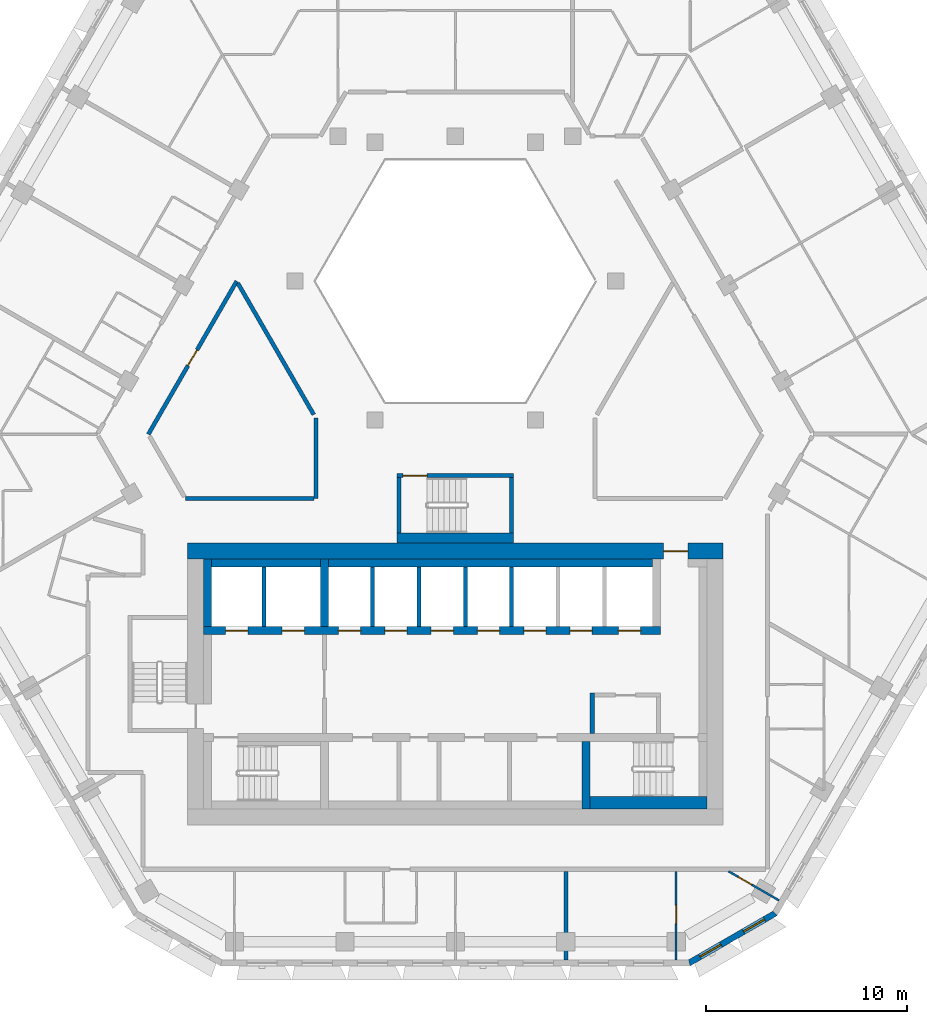
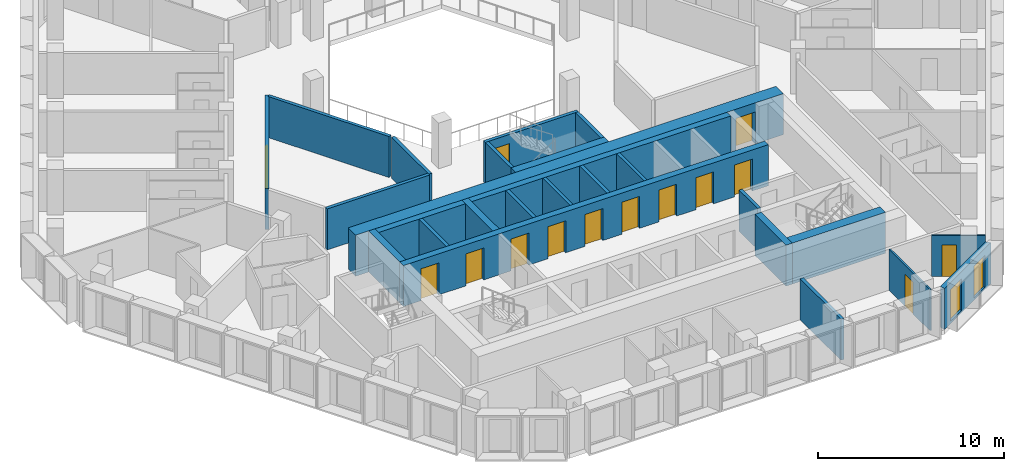
# One storey, part 5 of 17: 26 walls, 14 doors, 2 windows, 16 openings.
"""IFC4 building model written with IfcOpenShell, lengths in metres."""

import ifcopenshell
import ifcopenshell.guid

model = None  # the IFC model being written
_history = None  # IfcOwnerHistory: only IFC2X3 demands one
_inside = {}  # id of a spatial element -> (the spatial element, [elements in it])
_under = {}  # id of a project, library or spatial element -> (it, [spatial elements below it])
_declared = {}  # id of a project -> (the project, [libraries it declares])
_typed = {}  # id of a type object -> (the type object, [elements of that type])
_made_of = {}  # id of a material, layer set ... -> (it, [elements and type objects made of it])


def new_model(schema):
    """Start an empty IFC model of exactly this schema.

    Asked for "IFC4X3", IfcOpenShell would pick the latest addendum, in which some entities
    have other attributes; the version numbers below select the first issue.
    IFC2X3 requires an IfcOwnerHistory on every rooted entity: one is made here for all.
    """
    global model, _history
    if schema == "IFC4X3":
        model = ifcopenshell.file(schema_version=(4, 3, 0, 0))
    else:
        model = ifcopenshell.file(schema=schema)
    _inside.clear()
    _under.clear()
    _declared.clear()
    _typed.clear()
    _made_of.clear()
    _history = None
    if model.schema == "IFC2X3":
        org = make("IfcOrganization", Name="unknown")
        user = make(
            "IfcPersonAndOrganization",
            ThePerson=make("IfcPerson", FamilyName="unknown"),
            TheOrganization=org,
        )
        app = make(
            "IfcApplication",
            ApplicationDeveloper=org,
            Version="unknown",
            ApplicationFullName="unknown",
            ApplicationIdentifier="unknown",
        )
        _history = make(
            "IfcOwnerHistory",
            OwningUser=user,
            OwningApplication=app,
            ChangeAction="ADDED",
            CreationDate=0,
        )
    return model


def make(cls, **values):
    """One entity of the class cls with the attributes given. An attribute that is None is left unset."""
    return model.create_entity(
        cls, **{name: value for name, value in values.items() if value is not None}
    )


def rooted(cls, **values):
    """An entity with a GlobalId (a new one), such as an element, a storey or a relation."""
    return make(cls, GlobalId=ifcopenshell.guid.new(), OwnerHistory=_history, **values)


def si_unit(unit_type, name, prefix=None):
    """IfcSIUnit, for example si_unit("LENGTHUNIT", "METRE", prefix="MILLI")."""
    return make("IfcSIUnit", UnitType=unit_type, Prefix=prefix, Name=name)


def assignment(units):
    """IfcUnitAssignment: the units of a project."""
    return None if units is None else make("IfcUnitAssignment", Units=units)


def point(xyz):
    """IfcCartesianPoint."""
    return None if xyz is None else make("IfcCartesianPoint", Coordinates=xyz)


def direction(xyz):
    """IfcDirection."""
    return None if xyz is None else make("IfcDirection", DirectionRatios=xyz)


def frame(location, z_axis=None, x_axis=None):
    """IfcAxis2Placement3D, a coordinate frame: its origin and axes. An axis left out is left unset."""
    return make(
        "IfcAxis2Placement3D",
        Location=point(location),
        Axis=direction(z_axis),
        RefDirection=direction(x_axis),
    )


def frame_2d(location, x_axis=None):
    """IfcAxis2Placement2D, a coordinate frame in the plane: its origin and x axis."""
    return make(
        "IfcAxis2Placement2D", Location=point(location), RefDirection=direction(x_axis)
    )


def origin():
    """The frame at (0, 0, 0) with its axes left unset."""
    return frame((0.0, 0.0, 0.0))


def place(relative_to, where):
    """IfcLocalPlacement: puts the frame where relative to a parent placement (None: the world)."""
    return make(
        "IfcLocalPlacement", PlacementRelTo=relative_to, RelativePlacement=where
    )


def context(
    kind, dimensions, precision=None, world=None, true_north=None, identifier=None
):
    """IfcGeometricRepresentationContext, for example the 3D "Model" context."""
    return make(
        "IfcGeometricRepresentationContext",
        ContextIdentifier=identifier,
        ContextType=kind,
        CoordinateSpaceDimension=dimensions,
        Precision=precision,
        WorldCoordinateSystem=world,
        TrueNorth=true_north,
    )


def subcontext(parent, identifier, kind, view, scale=None):
    """IfcGeometricRepresentationSubContext, for example "Body" below "Model"."""
    return make(
        "IfcGeometricRepresentationSubContext",
        ContextIdentifier=identifier,
        ContextType=kind,
        ParentContext=parent,
        TargetScale=scale,
        TargetView=view,
    )


def project(units=None, contexts=None):
    """IfcProject with its units and contexts."""
    return rooted(
        "IfcProject",
        Name="project",
        RepresentationContexts=contexts,
        UnitsInContext=assignment(units),
    )


def spatial(cls, under=None, at=None, **own):
    """A site, building, storey or space (cls), placed at a placement, below another one or the project."""
    s = rooted(cls, ObjectPlacement=at, **own)
    if under is not None:
        _under.setdefault(under.id(), (under, []))[1].append(s)
    return s


def polyline(points):
    """IfcPolyline through the points."""
    return make("IfcPolyline", Points=[point(p) for p in points])


def profile(cls, at=None, kind="AREA", **sizes):
    """A parametric profile (cls). Its sizes go by their IFC names, for example OverallWidth=200.0."""
    return make(cls, ProfileType=kind, Position=at, **sizes)


def rectangle(**sizes):
    """IfcRectangleProfileDef."""
    return profile("IfcRectangleProfileDef", **sizes)


def outline(outer, holes=None, kind="AREA"):
    """IfcArbitraryClosedProfileDef: a profile drawn as a closed curve; with holes, ...WithVoids."""
    if holes is None:
        return make("IfcArbitraryClosedProfileDef", ProfileType=kind, OuterCurve=outer)
    return make(
        "IfcArbitraryProfileDefWithVoids",
        ProfileType=kind,
        OuterCurve=outer,
        InnerCurves=holes,
    )


def extrude(swept, where, along, depth):
    """IfcExtrudedAreaSolid: the profile swept, set in the frame where, extruded along a direction by depth."""
    return make(
        "IfcExtrudedAreaSolid",
        SweptArea=swept,
        Position=where,
        ExtrudedDirection=direction(along),
        Depth=depth,
    )


def shape(context_of_items, identifier, shape_type, items):
    """IfcShapeRepresentation: the items that make up one representation, for example the "Body"."""
    return make(
        "IfcShapeRepresentation",
        ContextOfItems=context_of_items,
        RepresentationIdentifier=identifier,
        RepresentationType=shape_type,
        Items=items,
    )


def material(Name=None, Category=None):
    """IfcMaterial."""
    return make("IfcMaterial", Name=Name, Category=Category)


def layer(
    of_material, thickness, ventilated=None, Name=None, Category=None, Priority=None
):
    """IfcMaterialLayer: one layer of a wall or slab, of a material (None: an air gap)."""
    return make(
        "IfcMaterialLayer",
        Material=of_material,
        LayerThickness=thickness,
        IsVentilated=ventilated,
        Name=Name,
        Category=Category,
        Priority=Priority,
    )


def layer_set(layers, Name=None):
    """IfcMaterialLayerSet."""
    return make("IfcMaterialLayerSet", MaterialLayers=layers, LayerSetName=Name)


def made_of(thing, what):
    """Note that an element or type object is made of a material, layer set ...; save() writes the relation."""
    if what is not None:
        _made_of.setdefault(what.id(), (what, []))[1].append(thing)
    return thing


def type_object(cls, material=None, **own):
    """A type object (cls), such as IfcWallType, which elements share."""
    return made_of(rooted(cls, **own), material)


def element(
    cls,
    number,
    at=None,
    inside=None,
    cuts=None,
    type_object=None,
    material=None,
    context=None,
    identifier="Body",
    shape_type=None,
    held_by="IfcProductDefinitionShape",
    body=None,
    shapes=None,
    **own,
):
    """One element of the class cls, such as IfcWall. Its Tag is "e" and its number.

    at: its placement. inside: the storey or other place that contains it. cuts: it is an
    opening in that element (IfcRelVoidsElement). A single representation is given by context,
    identifier, shape_type and body (its items); several are given by shapes. held_by: the class
    of the entity that holds the representations. save() writes the other relations.
    """
    e = rooted(cls, Tag="e%d" % number, ObjectPlacement=at, **own)
    if body is not None:
        shapes = [shape(context, identifier, shape_type, body)]
    if shapes is not None:
        e.Representation = make(held_by, Representations=shapes)
    if inside is not None:
        _inside.setdefault(inside.id(), (inside, []))[1].append(e)
    if cuts is not None:
        rooted(
            "IfcRelVoidsElement", RelatingBuildingElement=cuts, RelatedOpeningElement=e
        )
    if type_object is not None:
        _typed.setdefault(type_object.id(), (type_object, []))[1].append(e)
    return made_of(e, material)


def fill(opening, filler):
    """IfcRelFillsElement: the door or window that sits in an opening."""
    return rooted(
        "IfcRelFillsElement",
        RelatingOpeningElement=opening,
        RelatedBuildingElement=filler,
    )


def aggregate(whole, parts):
    """IfcRelAggregates: a whole, such as a stair, and the parts it consists of."""
    return rooted("IfcRelAggregates", RelatingObject=whole, RelatedObjects=parts)


def save(model, path):
    """Write the relations noted so far, then the file.

    IfcRelAggregates (storeys below a building ...), IfcRelContainedInSpatialStructure (elements
    in a storey), IfcRelDefinesByType, IfcRelAssociatesMaterial and IfcRelDeclares: one each for
    every whole, place, type object, material and project.
    """
    for whole, parts in _under.values():
        aggregate(whole, parts)
    for where, things in _inside.values():
        rooted(
            "IfcRelContainedInSpatialStructure",
            RelatedElements=things,
            RelatingStructure=where,
        )
    for kind, things in _typed.values():
        rooted("IfcRelDefinesByType", RelatedObjects=things, RelatingType=kind)
    for what, things in _made_of.values():
        rooted("IfcRelAssociatesMaterial", RelatedObjects=things, RelatingMaterial=what)
    for by, libraries in _declared.values():
        rooted("IfcRelDeclares", RelatingContext=by, RelatedDefinitions=libraries)
    model.write(path)


model = new_model("IFC4")

# Units and contexts
model_context = context("Model", 3, precision=1e-05, world=origin(), true_north=direction((0.0, 1.0)))
body_context = subcontext(model_context, "Body", "Model", "MODEL_VIEW")
ifc_project = project(units=[si_unit("LENGTHUNIT", "METRE"), si_unit("AREAUNIT", "SQUARE_METRE"), si_unit("VOLUMEUNIT", "CUBIC_METRE"), si_unit("PLANEANGLEUNIT", "RADIAN"), si_unit("MASSUNIT", "GRAM", prefix="KILO")], contexts=[model_context])

# Site, building, storey
site_placement = place(None, origin())
site = spatial("IfcSite", under=ifc_project, at=site_placement, CompositionType="ELEMENT")
building_placement = place(site_placement, origin())
building = spatial("IfcBuilding", under=site, at=building_placement, Name="Beryl Residences", CompositionType="ELEMENT")
storey_placement = place(building_placement, frame((0.0, 0.0, 126.60009765625)))
storey = spatial("IfcBuildingStorey", under=building, at=storey_placement, Name="L38", CompositionType="ELEMENT", Elevation=126.60009765625)

# Wall, openings, windows
ifc_material_1 = material(Name="Composite metal panel with mineral wool insulation")
ifc_layer_1 = layer(ifc_material_1, 0.300048828125)
ifc_layer_set_1 = layer_set([ifc_layer_1], Name="ES1 pale metal composite panel wall 300 mm")
wall_type_1 = type_object("IfcWallType", Name="ES1 pale metal composite panel wall 300 mm", PredefinedType="SOLIDWALL", material=ifc_layer_set_1)
wall_1_placement = place(storey_placement, frame((11.5869140625, -25.8701171875, 0.0), z_axis=(0.0, 0.0, 1.0), x_axis=(0.866022959057, 0.500004234368, 0.0)))
wall_1 = element("IfcWall", 1, at=wall_1_placement, inside=storey, type_object=wall_type_1, Name="ES1 external wall L38 S-SE", PredefinedType="SOLIDWALL", context=body_context, shape_type="SweptSolid", body=[
    extrude(outline(polyline([(0.0, -0.14990234375), (5.0, -0.14990234375), (4.919677734375, 0.14990234375), (0.080322265625, 0.14990234375), (0.0, -0.14990234375)])), origin(), (0.0, 0.0, 1.0), 2.699951171875),
])
opening_1_placement = place(wall_1_placement, frame((0.64990234375, 0.0, 0.14990234375)))
opening_1 = element("IfcOpeningElement", 2, at=opening_1_placement, cuts=wall_1, Name="Opening W2", PredefinedType="OPENING", context=body_context, shape_type="SweptSolid", body=[
    extrude(rectangle(XDim=1.199951171875, YDim=2.10009765625, at=frame_2d((0.60009765625, 1.050048828125))), frame((0.0, 0.159912109375, 0.0), z_axis=(0.0, -1.0, 0.0), x_axis=(1.0, 0.0, 0.0)), (0.0, 0.0, 1.0), 0.320068359375),
])
opening_2_placement = place(wall_1_placement, frame((3.14892578125, 0.0, 0.14990234375)))
opening_2 = element("IfcOpeningElement", 3, at=opening_2_placement, cuts=wall_1, Name="Opening W2", PredefinedType="OPENING", context=body_context, shape_type="SweptSolid", body=[
    extrude(rectangle(XDim=1.199951171875, YDim=2.10009765625, at=frame_2d((0.60009765625, 1.050048828125))), frame((0.0, 0.159912109375, 0.0), z_axis=(0.0, -1.0, 0.0), x_axis=(1.0, 0.0, 0.0)), (0.0, 0.0, 1.0), 0.320068359375),
])
ifc_material_2 = material(Name="Aluminium and clear glass", Category="aluminium")
window_type = type_object("IfcWindowType", Name="W2 chamfer window 1200 x 2100 mm", PartitioningType="SINGLE_PANEL", PredefinedType="WINDOW", material=ifc_material_2)
window_1_placement = place(opening_1_placement, origin())
window_1 = element("IfcWindow", 4, at=window_1_placement, inside=storey, type_object=window_type, Name="W2 window L38 S-SE 1", OverallHeight=2.10009765625, OverallWidth=1.199951171875, PartitioningType="SINGLE_PANEL", PredefinedType="WINDOW", context=body_context, shape_type="SweptSolid", body=[
    extrude(rectangle(XDim=1.199951171875, YDim=2.10009765625, at=frame_2d((0.60009765625, 1.050048828125))), frame((0.0, 0.030029296875, 0.0), z_axis=(0.0, -1.0, 0.0), x_axis=(1.0, 0.0, 0.0)), (0.0, 0.0, 1.0), 0.06005859375),
])
fill(opening_1, window_1)
window_2_placement = place(opening_2_placement, origin())
window_2 = element("IfcWindow", 5, at=window_2_placement, inside=storey, type_object=window_type, Name="W2 window L38 S-SE 2", OverallHeight=2.10009765625, OverallWidth=1.199951171875, PartitioningType="SINGLE_PANEL", PredefinedType="WINDOW", context=body_context, shape_type="SweptSolid", body=[
    extrude(rectangle(XDim=1.199951171875, YDim=2.10009765625, at=frame_2d((0.60009765625, 1.050048828125))), frame((0.0, 0.030029296875, 0.0), z_axis=(0.0, -1.0, 0.0), x_axis=(1.0, 0.0, 0.0)), (0.0, 0.0, 1.0), 0.06005859375),
])
fill(opening_2, window_2)

# Wall, opening, door
ifc_material_3 = material(Name="Gypsum board partition on steel studs", Category="steel")
ifc_layer_2 = layer(ifc_material_3, 0.10009765625)
ifc_layer_set_2 = layer_set([ifc_layer_2], Name="PT1 partition 100 mm gypsum board on steel studs")
wall_type_2 = type_object("IfcWallType", Name="PT1 partition 100 mm gypsum board on steel studs", PredefinedType="PARTITIONING", material=ifc_layer_set_2)
wall_2_placement = place(storey_placement, frame((13.568115234375, -21.300048828125, 0.0), z_axis=(0.0, 0.0, 1.0), x_axis=(0.865885342641, -0.500242514586, 0.0)))
wall_2 = element("IfcWall", 6, at=wall_2_placement, inside=storey, type_object=wall_type_2, Name="Wall PT1 L38 014", PredefinedType="PARTITIONING", context=body_context, shape_type="SweptSolid", body=[
    extrude(rectangle(XDim=2.8984375, YDim=0.10009765625, at=frame_2d((1.44921875, 0.0))), origin(), (0.0, 0.0, 1.0), 2.699951171875),
])
opening_3_placement = place(wall_2_placement, frame((0.550048828125, 0.0, 0.0)))
opening_3 = element("IfcOpeningElement", 7, at=opening_3_placement, cuts=wall_2, Name="Opening D1040", PredefinedType="OPENING", context=body_context, shape_type="SweptSolid", body=[
    extrude(rectangle(XDim=0.800048828125, YDim=2.10009765625, at=frame_2d((0.39990234375, 1.050048828125))), frame((0.0, 0.06005859375, 0.0), z_axis=(0.0, -1.0, 0.0), x_axis=(1.0, 0.0, 0.0)), (0.0, 0.0, 1.0), 0.1201171875),
])
ifc_material_4 = material(Name="Timber door leaf", Category="wood")
door_type_1 = type_object("IfcDoorType", Name="D13 room door 800 x 2100 mm", OperationType="SINGLE_SWING_LEFT", PredefinedType="DOOR", material=ifc_material_4)
door_1_placement = place(opening_3_placement, origin())
door_1 = element("IfcDoor", 8, at=door_1_placement, inside=storey, type_object=door_type_1, Name="Door D1040 L38 001", OperationType="SINGLE_SWING_RIGHT", OverallHeight=2.10009765625, OverallWidth=0.800048828125, PredefinedType="DOOR", context=body_context, shape_type="SweptSolid", body=[
    extrude(rectangle(XDim=0.800048828125, YDim=2.10009765625, at=frame_2d((0.39990234375, 1.050048828125))), frame((0.0, 0.02490234375, 0.0), z_axis=(0.0, -1.0, 0.0), x_axis=(1.0, 0.0, 0.0)), (0.0, 0.0, 1.0), 0.050048828125),
])
fill(opening_3, door_1)

wall_3_placement = place(storey_placement, frame((10.970947265625, -25.699951171875, 0.0), z_axis=(0.0, 0.0, 1.0), x_axis=(0.0, 1.0, 0.0)))
wall_3 = element("IfcWall", 9, at=wall_3_placement, inside=storey, type_object=wall_type_2, Name="Wall PT1 L38 040", PredefinedType="PARTITIONING", context=body_context, shape_type="SweptSolid", body=[
    extrude(rectangle(XDim=4.39990234375, YDim=0.10009765625, at=frame_2d((2.199951171875, 0.0))), origin(), (0.0, 0.0, 1.0), 2.699951171875),
])
opening_4_placement = place(wall_3_placement, frame((1.800048828125, 0.0, 0.0)))
opening_4 = element("IfcOpeningElement", 10, at=opening_4_placement, cuts=wall_3, Name="Opening D1041", PredefinedType="OPENING", context=body_context, shape_type="SweptSolid", body=[
    extrude(rectangle(XDim=0.89990234375, YDim=2.10009765625, at=frame_2d((0.449951171875, 1.050048828125))), frame((0.0, 0.06005859375, 0.0), z_axis=(0.0, -1.0, 0.0), x_axis=(1.0, 0.0, 0.0)), (0.0, 0.0, 1.0), 0.1201171875),
])
ifc_material_5 = material(Name="Timber door leaf", Category="wood")
door_type_2 = type_object("IfcDoorType", Name="D2 room door 900 x 2100 mm", OperationType="SINGLE_SWING_LEFT", PredefinedType="DOOR", material=ifc_material_5)
door_2_placement = place(opening_4_placement, origin())
door_2 = element("IfcDoor", 11, at=door_2_placement, inside=storey, type_object=door_type_2, Name="Door D1041 L38 001", OperationType="SINGLE_SWING_LEFT", OverallHeight=2.10009765625, OverallWidth=0.89990234375, PredefinedType="DOOR", context=body_context, shape_type="SweptSolid", body=[
    extrude(rectangle(XDim=0.89990234375, YDim=2.10009765625, at=frame_2d((0.449951171875, 1.050048828125))), frame((0.0, 0.02490234375, 0.0), z_axis=(0.0, -1.0, 0.0), x_axis=(1.0, 0.0, 0.0)), (0.0, 0.0, 1.0), 0.050048828125),
])
fill(opening_4, door_2)

# Walls
ifc_material_6 = material(Name="Concrete masonry", Category="masonry")
ifc_layer_3 = layer(ifc_material_6, 0.199951171875)
ifc_layer_set_3 = layer_set([ifc_layer_3], Name="PT13 lobby wall 200 mm")
wall_type_3 = type_object("IfcWallType", Name="PT13 lobby wall 200 mm", PredefinedType="PARTITIONING", material=ifc_layer_set_3)
wall_4_placement = place(storey_placement, frame((6.800048828125, -14.449951171875, 0.0), z_axis=(0.0, 0.0, 1.0), x_axis=(0.0, 1.0, 0.0)))
element("IfcWall", 12, at=wall_4_placement, inside=storey, type_object=wall_type_3, Name="Lobby wall 23", PredefinedType="PARTITIONING", context=body_context, shape_type="SweptSolid", body=[
    extrude(rectangle(XDim=2.0, YDim=0.199951171875, at=frame_2d((1.0, 0.0))), origin(), (0.0, 0.0, 1.0), 2.699951171875),
])
ifc_material_7 = material(Name="Acoustic double stud gypsum board wall")
ifc_layer_4 = layer(ifc_material_7, 0.199951171875)
ifc_layer_set_4 = layer_set([ifc_layer_4], Name="PT3 party wall 200 mm acoustic double stud")
wall_type_4 = type_object("IfcWallType", Name="PT3 party wall 200 mm acoustic double stud", PredefinedType="PARTITIONING", material=ifc_layer_set_4)
wall_5_placement = place(storey_placement, frame((5.486083984375, -25.699951171875, 0.0), z_axis=(0.0, 0.0, 1.0), x_axis=(0.0, 1.0, 0.0)))
element("IfcWall", 13, at=wall_5_placement, inside=storey, type_object=wall_type_4, Name="Wall PT3 L38 007", PredefinedType="PARTITIONING", context=body_context, shape_type="SweptSolid", body=[
    extrude(rectangle(XDim=4.39990234375, YDim=0.199951171875, at=frame_2d((2.199951171875, 0.0))), origin(), (0.0, 0.0, 1.0), 2.699951171875),
])
ifc_material_8 = material(Name="Double stud gypsum board wall")
ifc_layer_5 = layer(ifc_material_8, 0.199951171875)
ifc_layer_set_5 = layer_set([ifc_layer_5], Name="PT4 corridor wall 200 mm double stud")
wall_type_5 = type_object("IfcWallType", Name="PT4 corridor wall 200 mm double stud", PredefinedType="PARTITIONING", material=ifc_layer_set_5)
wall_6_placement = place(storey_placement, frame((-10.7958984375, 7.89990234375, 0.0), z_axis=(0.0, 0.0, 1.0), x_axis=(0.499954271211, -0.866051803703, 0.0)))
element("IfcWall", 14, at=wall_6_placement, inside=storey, type_object=wall_type_5, Name="Wall PT4 L38 001", PredefinedType="PARTITIONING", context=body_context, shape_type="SweptSolid", body=[
    extrude(rectangle(XDim=7.536376953125, YDim=0.199951171875, at=frame_2d((3.76806640625, 0.0))), origin(), (0.0, 0.0, 1.0), 2.699951171875),
])
wall_7_placement = place(storey_placement, frame((-13.39501953125, -2.800048828125, 0.0), z_axis=(0.0, 0.0, 1.0), x_axis=(1.0, 0.0, 0.0)))
element("IfcWall", 15, at=wall_7_placement, inside=storey, type_object=wall_type_5, Name="Wall PT4 L38 012", PredefinedType="PARTITIONING", context=body_context, shape_type="SweptSolid", body=[
    extrude(rectangle(XDim=6.366943359375, YDim=0.199951171875, at=frame_2d((3.18359375, 0.0))), origin(), (0.0, 0.0, 1.0), 2.699951171875),
])

# Wall, opening, door
wall_8_placement = place(storey_placement, frame((-15.241943359375, 0.39892578125, 0.0), z_axis=(0.0, 0.0, 1.0), x_axis=(0.499953615651, 0.866052182145, 0.0)))
wall_8 = element("IfcWall", 16, at=wall_8_placement, inside=storey, type_object=wall_type_5, Name="Wall PT4 L38 020", PredefinedType="PARTITIONING", context=body_context, shape_type="SweptSolid", body=[
    extrude(rectangle(XDim=8.776611328125, YDim=0.199951171875, at=frame_2d((4.38818359375, 0.0))), origin(), (0.0, 0.0, 1.0), 2.699951171875),
])
opening_5_placement = place(wall_8_placement, frame((3.93798828125, 0.0, 0.0)))
opening_5 = element("IfcOpeningElement", 17, at=opening_5_placement, cuts=wall_8, Name="Opening D1055", PredefinedType="OPENING", context=body_context, shape_type="SweptSolid", body=[
    extrude(rectangle(XDim=0.89990234375, YDim=2.10009765625, at=frame_2d((0.449951171875, 1.050048828125))), frame((0.0, 0.10986328125, 0.0), z_axis=(0.0, -1.0, 0.0), x_axis=(1.0, 0.0, 0.0)), (0.0, 0.0, 1.0), 0.219970703125),
])
door_3_placement = place(opening_5_placement, origin())
door_3 = element("IfcDoor", 18, at=door_3_placement, inside=storey, type_object=door_type_2, Name="Door D1055 L38 001", OperationType="SINGLE_SWING_LEFT", OverallHeight=2.10009765625, OverallWidth=0.89990234375, PredefinedType="DOOR", context=body_context, shape_type="SweptSolid", body=[
    extrude(rectangle(XDim=0.89990234375, YDim=2.10009765625, at=frame_2d((0.449951171875, 1.050048828125))), frame((0.0, 0.02490234375, 0.0), z_axis=(0.0, -1.0, 0.0), x_axis=(1.0, 0.0, 0.0)), (0.0, 0.0, 1.0), 0.050048828125),
])
fill(opening_5, door_3)

# Wall
wall_9_placement = place(storey_placement, frame((-6.927978515625, -2.800048828125, 0.0), z_axis=(0.0, 0.0, 1.0), x_axis=(0.0, 1.0, 0.0)))
element("IfcWall", 19, at=wall_9_placement, inside=storey, type_object=wall_type_5, Name="Wall PT4 L38 025", PredefinedType="PARTITIONING", context=body_context, shape_type="SweptSolid", body=[
    extrude(rectangle(XDim=4.0, YDim=0.199951171875, at=frame_2d((2.0, 0.0))), origin(), (0.0, 0.0, 1.0), 2.699951171875),
])

# Wall, opening, door
ifc_material_9 = material(Name="Concrete C40/50", Category="concrete")
ifc_layer_6 = layer(ifc_material_9, 0.199951171875)
ifc_layer_set_6 = layer_set([ifc_layer_6], Name="PT5 stair enclosure wall 200 mm reinforced concrete C40/50")
wall_type_6 = type_object("IfcWallType", Name="PT5 stair enclosure wall 200 mm reinforced concrete C40/50", PredefinedType="SOLIDWALL", material=ifc_layer_set_6)
wall_10_placement = place(storey_placement, frame((-2.89990234375, -1.64990234375, 0.0), z_axis=(0.0, 0.0, 1.0), x_axis=(1.0, 0.0, 0.0)))
wall_10 = element("IfcWall", 20, at=wall_10_placement, inside=storey, type_object=wall_type_6, Name="Wall PT5 L38 001", PredefinedType="SOLIDWALL", context=body_context, shape_type="SweptSolid", body=[
    extrude(rectangle(XDim=5.7998046875, YDim=0.199951171875, at=frame_2d((2.89990234375, 0.0))), origin(), (0.0, 0.0, 1.0), 2.699951171875),
])
opening_6_placement = place(wall_10_placement, frame((0.300048828125, 0.0, 0.0)))
opening_6 = element("IfcOpeningElement", 21, at=opening_6_placement, cuts=wall_10, Name="Opening DS04", PredefinedType="OPENING", context=body_context, shape_type="SweptSolid", body=[
    extrude(rectangle(XDim=1.199951171875, YDim=2.10009765625, at=frame_2d((0.60009765625, 1.050048828125))), frame((0.0, 0.10986328125, 0.0), z_axis=(0.0, -1.0, 0.0), x_axis=(1.0, 0.0, 0.0)), (0.0, 0.0, 1.0), 0.219970703125),
])
ifc_material_10 = material(Name="Steel door leaf in steel frame", Category="steel")
door_type_3 = type_object("IfcDoorType", Name="D4 stair door 1200 x 2100 mm", OperationType="SINGLE_SWING_LEFT", PredefinedType="DOOR", material=ifc_material_10)
door_4_placement = place(opening_6_placement, origin())
door_4 = element("IfcDoor", 22, at=door_4_placement, inside=storey, type_object=door_type_3, Name="Door DS04 L38 001", OperationType="SINGLE_SWING_LEFT", OverallHeight=2.10009765625, OverallWidth=1.199951171875, PredefinedType="DOOR", context=body_context, shape_type="SweptSolid", body=[
    extrude(rectangle(XDim=1.199951171875, YDim=2.10009765625, at=frame_2d((0.60009765625, 1.050048828125))), frame((0.0, 0.02490234375, 0.0), z_axis=(0.0, -1.0, 0.0), x_axis=(1.0, 0.0, 0.0)), (0.0, 0.0, 1.0), 0.050048828125),
])
fill(opening_6, door_4)

# Walls
for number, where, z_axis, x_axis, name in (
    (23, (-2.800048828125, -4.5, 0.0), (0.0, 0.0, 1.0), (0.0, 1.0, 0.0), "Wall PT5 L38 002"),
    (24, (2.800048828125, -4.5, 0.0), (0.0, 0.0, 1.0), (0.0, 1.0, 0.0), "Wall PT5 L38 003"),
):
    element("IfcWall", number, at=place(storey_placement, frame(where, z_axis=z_axis, x_axis=x_axis)), inside=storey, type_object=wall_type_6, Name=name, PredefinedType="SOLIDWALL", context=body_context, shape_type="SweptSolid", body=[
        extrude(rectangle(XDim=2.75, YDim=0.199951171875, at=frame_2d((1.375, 0.0))), origin(), (0.0, 0.0, 1.0), 2.699951171875),
    ])
ifc_material_11 = material(Name="Concrete C40/50", Category="concrete")
ifc_layer_7 = layer(ifc_material_11, 0.5)
ifc_layer_set_7 = layer_set([ifc_layer_7], Name="PT5-500 stair enclosure wall 500 mm")
wall_type_7 = type_object("IfcWallType", Name="PT5-500 stair enclosure wall 500 mm", PredefinedType="SOLIDWALL", material=ifc_layer_set_7)
wall_11_placement = place(storey_placement, frame((-2.89990234375, -4.75, 0.0), z_axis=(0.0, 0.0, 1.0), x_axis=(1.0, 0.0, 0.0)))
element("IfcWall", 25, at=wall_11_placement, inside=storey, type_object=wall_type_7, Name="Wall PT5-500 L38 001", PredefinedType="SOLIDWALL", context=body_context, shape_type="SweptSolid", body=[
    extrude(rectangle(XDim=5.7998046875, YDim=0.5, at=frame_2d((2.89990234375, 0.0))), origin(), (0.0, 0.0, 1.0), 2.699951171875),
])
ifc_material_12 = material(Name="Concrete C40/50", Category="concrete")
ifc_layer_8 = layer(ifc_material_12, 0.60009765625)
ifc_layer_set_8 = layer_set([ifc_layer_8], Name="PT5-600 stair enclosure wall 600 mm")
wall_type_8 = type_object("IfcWallType", Name="PT5-600 stair enclosure wall 600 mm", PredefinedType="SOLIDWALL", material=ifc_layer_set_8)
wall_12_placement = place(storey_placement, frame((6.699951171875, -17.89990234375, 0.0), z_axis=(0.0, 0.0, 1.0), x_axis=(1.0, 0.0, 0.0)))
element("IfcWall", 26, at=wall_12_placement, inside=storey, type_object=wall_type_8, Name="Stair wall 22", PredefinedType="SOLIDWALL", context=body_context, shape_type="SweptSolid", body=[
    extrude(rectangle(XDim=5.800048828125, YDim=0.60009765625, at=frame_2d((2.89990234375, 0.0))), origin(), (0.0, 0.0, 1.0), 2.699951171875),
])
ifc_material_13 = material(Name="Concrete C40/50", Category="concrete")
ifc_layer_9 = layer(ifc_material_13, 0.199951171875)
ifc_layer_set_9 = layer_set([ifc_layer_9], Name="PT6 lift shaft wall 200 mm reinforced concrete C40/50")
wall_type_9 = type_object("IfcWallType", Name="PT6 lift shaft wall 200 mm reinforced concrete C40/50", PredefinedType="SOLIDWALL", material=ifc_layer_set_9)
for number, where, z_axis, x_axis, name in (
    (27, (-9.5, -9.14990234375, 0.0), (0.0, 0.0, 1.0), (0.0, 1.0, 0.0), "Lift shaft wall 10"),
    (28, (-4.10009765625, -9.14990234375, 0.0), (0.0, 0.0, 1.0), (0.0, 1.0, 0.0), "Lift shaft wall 14"),
    (29, (-1.800048828125, -9.14990234375, 0.0), (0.0, 0.0, 1.0), (0.0, 1.0, 0.0), "Lift shaft wall 16"),
    (30, (0.5, -9.14990234375, 0.0), (0.0, 0.0, 1.0), (0.0, 1.0, 0.0), "Lift shaft wall 18"),
    (31, (2.800048828125, -9.14990234375, 0.0), (0.0, 0.0, 1.0), (0.0, 1.0, 0.0), "Lift shaft wall 20"),
):
    element("IfcWall", number, at=place(storey_placement, frame(where, z_axis=z_axis, x_axis=x_axis)), inside=storey, type_object=wall_type_9, Name=name, PredefinedType="SOLIDWALL", context=body_context, shape_type="SweptSolid", body=[
        extrude(rectangle(XDim=2.949951171875, YDim=0.199951171875, at=frame_2d((1.47509765625, 0.0))), origin(), (0.0, 0.0, 1.0), 2.699951171875),
    ])
ifc_material_14 = material(Name="Concrete C40/50", Category="concrete")
ifc_layer_10 = layer(ifc_material_14, 0.39990234375)
ifc_layer_set_10 = layer_set([ifc_layer_10], Name="PT6-400 lift shaft wall 400 mm")
wall_type_10 = type_object("IfcWallType", Name="PT6-400 lift shaft wall 400 mm", PredefinedType="SOLIDWALL", material=ifc_layer_set_10)
wall_13_placement = place(storey_placement, frame((-12.300048828125, -9.14990234375, 0.0), z_axis=(0.0, 0.0, 1.0), x_axis=(0.0, 1.0, 0.0)))
element("IfcWall", 32, at=wall_13_placement, inside=storey, type_object=wall_type_10, Name="Lift shaft wall 06", PredefinedType="SOLIDWALL", context=body_context, shape_type="SweptSolid", body=[
    extrude(rectangle(XDim=3.349853515625, YDim=0.39990234375, at=frame_2d((1.6748046875, 0.0))), origin(), (0.0, 0.0, 1.0), 2.699951171875),
])
wall_14_placement = place(storey_placement, frame((-12.10009765625, -6.0, 0.0), z_axis=(0.0, 0.0, 1.0), x_axis=(1.0, 0.0, 0.0)))
element("IfcWall", 33, at=wall_14_placement, inside=storey, type_object=wall_type_10, Name="Lift shaft wall 08", PredefinedType="SOLIDWALL", context=body_context, shape_type="SweptSolid", body=[
    extrude(rectangle(XDim=5.400146484375, YDim=0.39990234375, at=frame_2d((2.7001953125, 0.0))), origin(), (0.0, 0.0, 1.0), 2.699951171875),
])
wall_15_placement = place(storey_placement, frame((-6.300048828125, -6.0, 0.0), z_axis=(0.0, 0.0, 1.0), x_axis=(1.0, 0.0, 0.0)))
element("IfcWall", 34, at=wall_15_placement, inside=storey, type_object=wall_type_10, Name="Lift shaft wall 13", PredefinedType="SOLIDWALL", context=body_context, shape_type="SweptSolid", body=[
    extrude(rectangle(XDim=16.10009765625, YDim=0.39990234375, at=frame_2d((8.050048828125, 0.0))), origin(), (0.0, 0.0, 1.0), 2.699951171875),
])

# Wall, opening, door
ifc_material_15 = material(Name="Concrete C60/75", Category="concrete")
ifc_layer_11 = layer(ifc_material_15, 0.800048828125)
ifc_layer_set_11 = layer_set([ifc_layer_11], Name="SW3 core outer wall 800 mm C60/75")
wall_type_11 = type_object("IfcWallType", Name="SW3 core outer wall 800 mm C60/75", PredefinedType="SHEAR", material=ifc_layer_set_11)
wall_16_placement = place(storey_placement, frame((-13.300048828125, -5.39990234375, 0.0), z_axis=(0.0, 0.0, 1.0), x_axis=(1.0, 0.0, 0.0)))
wall_16 = element("IfcWall", 35, at=wall_16_placement, inside=storey, type_object=wall_type_11, Name="Core wall N L38", PredefinedType="SHEAR", context=body_context, shape_type="SweptSolid", body=[
    extrude(rectangle(XDim=26.60009765625, YDim=0.800048828125, at=frame_2d((13.300048828125, 0.0))), origin(), (0.0, 0.0, 1.0), 2.699951171875),
])
opening_7_placement = place(wall_16_placement, frame((23.64990234375, 0.0, 0.0)))
opening_7 = element("IfcOpeningElement", 36, at=opening_7_placement, cuts=wall_16, Name="Opening FD-NORTH", PredefinedType="OPENING", context=body_context, shape_type="SweptSolid", body=[
    extrude(rectangle(XDim=1.199951171875, YDim=2.10009765625, at=frame_2d((0.60009765625, 1.050048828125))), frame((0.0, 0.409912109375, 0.0), z_axis=(0.0, -1.0, 0.0), x_axis=(1.0, 0.0, 0.0)), (0.0, 0.0, 1.0), 0.820068359375),
])
ifc_material_16 = material(Name="Steel door leaf in steel frame", Category="steel")
door_type_4 = type_object("IfcDoorType", Name="D22 lobby door 1200 x 2100 mm", OperationType="DOUBLE_DOOR_SINGLE_SWING", PredefinedType="DOOR", material=ifc_material_16)
door_5_placement = place(opening_7_placement, origin())
door_5 = element("IfcDoor", 37, at=door_5_placement, inside=storey, type_object=door_type_4, Name="Door FD-NORTH L38 001", OperationType="DOUBLE_DOOR_SINGLE_SWING", OverallHeight=2.10009765625, OverallWidth=1.199951171875, PredefinedType="DOOR", context=body_context, shape_type="SweptSolid", body=[
    extrude(rectangle(XDim=1.199951171875, YDim=2.10009765625, at=frame_2d((0.60009765625, 1.050048828125))), frame((0.0, 0.02490234375, 0.0), z_axis=(0.0, -1.0, 0.0), x_axis=(1.0, 0.0, 0.0)), (0.0, 0.0, 1.0), 0.050048828125),
])
fill(opening_7, door_5)

# Wall, openings, doors
ifc_material_17 = material(Name="Concrete C60/75", Category="concrete")
ifc_layer_12 = layer(ifc_material_17, 0.39990234375)
ifc_layer_set_12 = layer_set([ifc_layer_12], Name="SW8 core internal wall 400 mm C60/75")
wall_type_12 = type_object("IfcWallType", Name="SW8 core internal wall 400 mm C60/75", PredefinedType="SHEAR", material=ifc_layer_set_12)
wall_17_placement = place(storey_placement, frame((-12.5, -9.35009765625, 0.0), z_axis=(0.0, 0.0, 1.0), x_axis=(1.0, 0.0, 0.0)))
wall_17 = element("IfcWall", 38, at=wall_17_placement, inside=storey, type_object=wall_type_12, Name="Core wall SP2 L38", PredefinedType="SHEAR", context=body_context, shape_type="SweptSolid", body=[
    extrude(rectangle(XDim=22.699951171875, YDim=0.39990234375, at=frame_2d((11.35009765625, 0.0))), origin(), (0.0, 0.0, 1.0), 2.699951171875),
])
opening_8_placement = place(wall_17_placement, frame((1.10009765625, 0.0, 0.0)))
opening_8 = element("IfcOpeningElement", 39, at=opening_8_placement, cuts=wall_17, Name="Opening LD-FF1", PredefinedType="OPENING", context=body_context, shape_type="SweptSolid", body=[
    extrude(rectangle(XDim=1.10009765625, YDim=2.10009765625, at=frame_2d((0.550048828125, 1.050048828125))), frame((0.0, 0.2099609375, 0.0), z_axis=(0.0, -1.0, 0.0), x_axis=(1.0, 0.0, 0.0)), (0.0, 0.0, 1.0), 0.419921875),
])
opening_9_placement = place(wall_17_placement, frame((3.89990234375, 0.0, 0.0)))
opening_9 = element("IfcOpeningElement", 40, at=opening_9_placement, cuts=wall_17, Name="Opening LD-FF2", PredefinedType="OPENING", context=body_context, shape_type="SweptSolid", body=[
    extrude(rectangle(XDim=1.10009765625, YDim=2.10009765625, at=frame_2d((0.550048828125, 1.050048828125))), frame((0.0, 0.2099609375, 0.0), z_axis=(0.0, -1.0, 0.0), x_axis=(1.0, 0.0, 0.0)), (0.0, 0.0, 1.0), 0.419921875),
])
opening_10_placement = place(wall_17_placement, frame((6.699951171875, 0.0, 0.0)))
opening_10 = element("IfcOpeningElement", 41, at=opening_10_placement, cuts=wall_17, Name="Opening LD-HR1", PredefinedType="OPENING", context=body_context, shape_type="SweptSolid", body=[
    extrude(rectangle(XDim=1.10009765625, YDim=2.10009765625, at=frame_2d((0.550048828125, 1.050048828125))), frame((0.0, 0.2099609375, 0.0), z_axis=(0.0, -1.0, 0.0), x_axis=(1.0, 0.0, 0.0)), (0.0, 0.0, 1.0), 0.419921875),
])
opening_11_placement = place(wall_17_placement, frame((9.0, 0.0, 0.0)))
opening_11 = element("IfcOpeningElement", 42, at=opening_11_placement, cuts=wall_17, Name="Opening LD-HR2", PredefinedType="OPENING", context=body_context, shape_type="SweptSolid", body=[
    extrude(rectangle(XDim=1.10009765625, YDim=2.10009765625, at=frame_2d((0.550048828125, 1.050048828125))), frame((0.0, 0.2099609375, 0.0), z_axis=(0.0, -1.0, 0.0), x_axis=(1.0, 0.0, 0.0)), (0.0, 0.0, 1.0), 0.419921875),
])
opening_12_placement = place(wall_17_placement, frame((11.300048828125, 0.0, 0.0)))
opening_12 = element("IfcOpeningElement", 43, at=opening_12_placement, cuts=wall_17, Name="Opening LD-HR3", PredefinedType="OPENING", context=body_context, shape_type="SweptSolid", body=[
    extrude(rectangle(XDim=1.10009765625, YDim=2.10009765625, at=frame_2d((0.550048828125, 1.050048828125))), frame((0.0, 0.2099609375, 0.0), z_axis=(0.0, -1.0, 0.0), x_axis=(1.0, 0.0, 0.0)), (0.0, 0.0, 1.0), 0.419921875),
])
opening_13_placement = place(wall_17_placement, frame((13.60009765625, 0.0, 0.0)))
opening_13 = element("IfcOpeningElement", 44, at=opening_13_placement, cuts=wall_17, Name="Opening LD-HR4", PredefinedType="OPENING", context=body_context, shape_type="SweptSolid", body=[
    extrude(rectangle(XDim=1.10009765625, YDim=2.10009765625, at=frame_2d((0.550048828125, 1.050048828125))), frame((0.0, 0.2099609375, 0.0), z_axis=(0.0, -1.0, 0.0), x_axis=(1.0, 0.0, 0.0)), (0.0, 0.0, 1.0), 0.419921875),
])
opening_14_placement = place(wall_17_placement, frame((15.89990234375, 0.0, 0.0)))
opening_14 = element("IfcOpeningElement", 45, at=opening_14_placement, cuts=wall_17, Name="Opening LD-HR5", PredefinedType="OPENING", context=body_context, shape_type="SweptSolid", body=[
    extrude(rectangle(XDim=1.10009765625, YDim=2.10009765625, at=frame_2d((0.550048828125, 1.050048828125))), frame((0.0, 0.2099609375, 0.0), z_axis=(0.0, -1.0, 0.0), x_axis=(1.0, 0.0, 0.0)), (0.0, 0.0, 1.0), 0.419921875),
])
opening_15_placement = place(wall_17_placement, frame((18.199951171875, 0.0, 0.0)))
opening_15 = element("IfcOpeningElement", 46, at=opening_15_placement, cuts=wall_17, Name="Opening LD-HR6", PredefinedType="OPENING", context=body_context, shape_type="SweptSolid", body=[
    extrude(rectangle(XDim=1.10009765625, YDim=2.10009765625, at=frame_2d((0.550048828125, 1.050048828125))), frame((0.0, 0.2099609375, 0.0), z_axis=(0.0, -1.0, 0.0), x_axis=(1.0, 0.0, 0.0)), (0.0, 0.0, 1.0), 0.419921875),
])
opening_16_placement = place(wall_17_placement, frame((20.60009765625, 0.0, 0.0)))
opening_16 = element("IfcOpeningElement", 47, at=opening_16_placement, cuts=wall_17, Name="Opening LD-SL1", PredefinedType="OPENING", context=body_context, shape_type="SweptSolid", body=[
    extrude(rectangle(XDim=1.10009765625, YDim=2.10009765625, at=frame_2d((0.550048828125, 1.050048828125))), frame((0.0, 0.2099609375, 0.0), z_axis=(0.0, -1.0, 0.0), x_axis=(1.0, 0.0, 0.0)), (0.0, 0.0, 1.0), 0.419921875),
])
ifc_material_18 = material(Name="Stainless steel sliding door", Category="steel")
door_type_5 = type_object("IfcDoorType", Name="LD1 lift landing door 1100 x 2100 mm", OperationType="DOUBLE_DOOR_SLIDING", PredefinedType="DOOR", material=ifc_material_18)
door_6_placement = place(opening_8_placement, origin())
door_6 = element("IfcDoor", 48, at=door_6_placement, inside=storey, type_object=door_type_5, Name="Lift landing door FF1", OperationType="DOUBLE_DOOR_SLIDING", OverallHeight=2.10009765625, OverallWidth=1.10009765625, PredefinedType="DOOR", context=body_context, shape_type="SweptSolid", body=[
    extrude(rectangle(XDim=1.10009765625, YDim=2.10009765625, at=frame_2d((0.550048828125, 1.050048828125))), frame((0.0, 0.02490234375, 0.0), z_axis=(0.0, -1.0, 0.0), x_axis=(1.0, 0.0, 0.0)), (0.0, 0.0, 1.0), 0.050048828125),
])
fill(opening_8, door_6)
door_7_placement = place(opening_9_placement, origin())
door_7 = element("IfcDoor", 49, at=door_7_placement, inside=storey, type_object=door_type_5, Name="Lift landing door FF2", OperationType="DOUBLE_DOOR_SLIDING", OverallHeight=2.10009765625, OverallWidth=1.10009765625, PredefinedType="DOOR", context=body_context, shape_type="SweptSolid", body=[
    extrude(rectangle(XDim=1.10009765625, YDim=2.10009765625, at=frame_2d((0.550048828125, 1.050048828125))), frame((0.0, 0.02490234375, 0.0), z_axis=(0.0, -1.0, 0.0), x_axis=(1.0, 0.0, 0.0)), (0.0, 0.0, 1.0), 0.050048828125),
])
fill(opening_9, door_7)
door_8_placement = place(opening_10_placement, origin())
door_8 = element("IfcDoor", 50, at=door_8_placement, inside=storey, type_object=door_type_5, Name="Lift landing door HR1", OperationType="DOUBLE_DOOR_SLIDING", OverallHeight=2.10009765625, OverallWidth=1.10009765625, PredefinedType="DOOR", context=body_context, shape_type="SweptSolid", body=[
    extrude(rectangle(XDim=1.10009765625, YDim=2.10009765625, at=frame_2d((0.550048828125, 1.050048828125))), frame((0.0, 0.02490234375, 0.0), z_axis=(0.0, -1.0, 0.0), x_axis=(1.0, 0.0, 0.0)), (0.0, 0.0, 1.0), 0.050048828125),
])
fill(opening_10, door_8)
door_9_placement = place(opening_11_placement, origin())
door_9 = element("IfcDoor", 51, at=door_9_placement, inside=storey, type_object=door_type_5, Name="Lift landing door HR2", OperationType="DOUBLE_DOOR_SLIDING", OverallHeight=2.10009765625, OverallWidth=1.10009765625, PredefinedType="DOOR", context=body_context, shape_type="SweptSolid", body=[
    extrude(rectangle(XDim=1.10009765625, YDim=2.10009765625, at=frame_2d((0.550048828125, 1.050048828125))), frame((0.0, 0.02490234375, 0.0), z_axis=(0.0, -1.0, 0.0), x_axis=(1.0, 0.0, 0.0)), (0.0, 0.0, 1.0), 0.050048828125),
])
fill(opening_11, door_9)
door_10_placement = place(opening_12_placement, origin())
door_10 = element("IfcDoor", 52, at=door_10_placement, inside=storey, type_object=door_type_5, Name="Lift landing door HR3", OperationType="DOUBLE_DOOR_SLIDING", OverallHeight=2.10009765625, OverallWidth=1.10009765625, PredefinedType="DOOR", context=body_context, shape_type="SweptSolid", body=[
    extrude(rectangle(XDim=1.10009765625, YDim=2.10009765625, at=frame_2d((0.550048828125, 1.050048828125))), frame((0.0, 0.02490234375, 0.0), z_axis=(0.0, -1.0, 0.0), x_axis=(1.0, 0.0, 0.0)), (0.0, 0.0, 1.0), 0.050048828125),
])
fill(opening_12, door_10)
door_11_placement = place(opening_13_placement, origin())
door_11 = element("IfcDoor", 53, at=door_11_placement, inside=storey, type_object=door_type_5, Name="Lift landing door HR4", OperationType="DOUBLE_DOOR_SLIDING", OverallHeight=2.10009765625, OverallWidth=1.10009765625, PredefinedType="DOOR", context=body_context, shape_type="SweptSolid", body=[
    extrude(rectangle(XDim=1.10009765625, YDim=2.10009765625, at=frame_2d((0.550048828125, 1.050048828125))), frame((0.0, 0.02490234375, 0.0), z_axis=(0.0, -1.0, 0.0), x_axis=(1.0, 0.0, 0.0)), (0.0, 0.0, 1.0), 0.050048828125),
])
fill(opening_13, door_11)
door_12_placement = place(opening_14_placement, origin())
door_12 = element("IfcDoor", 54, at=door_12_placement, inside=storey, type_object=door_type_5, Name="Lift landing door HR5", OperationType="DOUBLE_DOOR_SLIDING", OverallHeight=2.10009765625, OverallWidth=1.10009765625, PredefinedType="DOOR", context=body_context, shape_type="SweptSolid", body=[
    extrude(rectangle(XDim=1.10009765625, YDim=2.10009765625, at=frame_2d((0.550048828125, 1.050048828125))), frame((0.0, 0.02490234375, 0.0), z_axis=(0.0, -1.0, 0.0), x_axis=(1.0, 0.0, 0.0)), (0.0, 0.0, 1.0), 0.050048828125),
])
fill(opening_14, door_12)
door_13_placement = place(opening_15_placement, origin())
door_13 = element("IfcDoor", 55, at=door_13_placement, inside=storey, type_object=door_type_5, Name="Lift landing door HR6", OperationType="DOUBLE_DOOR_SLIDING", OverallHeight=2.10009765625, OverallWidth=1.10009765625, PredefinedType="DOOR", context=body_context, shape_type="SweptSolid", body=[
    extrude(rectangle(XDim=1.10009765625, YDim=2.10009765625, at=frame_2d((0.550048828125, 1.050048828125))), frame((0.0, 0.02490234375, 0.0), z_axis=(0.0, -1.0, 0.0), x_axis=(1.0, 0.0, 0.0)), (0.0, 0.0, 1.0), 0.050048828125),
])
fill(opening_15, door_13)
door_14_placement = place(opening_16_placement, origin())
door_14 = element("IfcDoor", 56, at=door_14_placement, inside=storey, type_object=door_type_5, Name="Lift landing door SL1", OperationType="DOUBLE_DOOR_SLIDING", OverallHeight=2.10009765625, OverallWidth=1.10009765625, PredefinedType="DOOR", context=body_context, shape_type="SweptSolid", body=[
    extrude(rectangle(XDim=1.10009765625, YDim=2.10009765625, at=frame_2d((0.550048828125, 1.050048828125))), frame((0.0, 0.02490234375, 0.0), z_axis=(0.0, -1.0, 0.0), x_axis=(1.0, 0.0, 0.0)), (0.0, 0.0, 1.0), 0.050048828125),
])
fill(opening_16, door_14)

# Walls
for number, where, z_axis, x_axis, name in (
    (57, (6.5, -18.199951171875, 0.0), (0.0, 0.0, 1.0), (0.0, 1.0, 0.0), "Core wall XS2 L38"),
    (58, (-6.5, -9.14990234375, 0.0), (0.0, 0.0, 1.0), (0.0, 1.0, 0.0), "Core wall XN1 L38"),
):
    element("IfcWall", number, at=place(storey_placement, frame(where, z_axis=z_axis, x_axis=x_axis)), inside=storey, type_object=wall_type_12, Name=name, PredefinedType="SHEAR", context=body_context, shape_type="SweptSolid", body=[
        extrude(rectangle(XDim=3.349853515625, YDim=0.39990234375, at=frame_2d((1.6748046875, 0.0))), origin(), (0.0, 0.0, 1.0), 2.699951171875),
    ])

save(model, "model.ifc")
